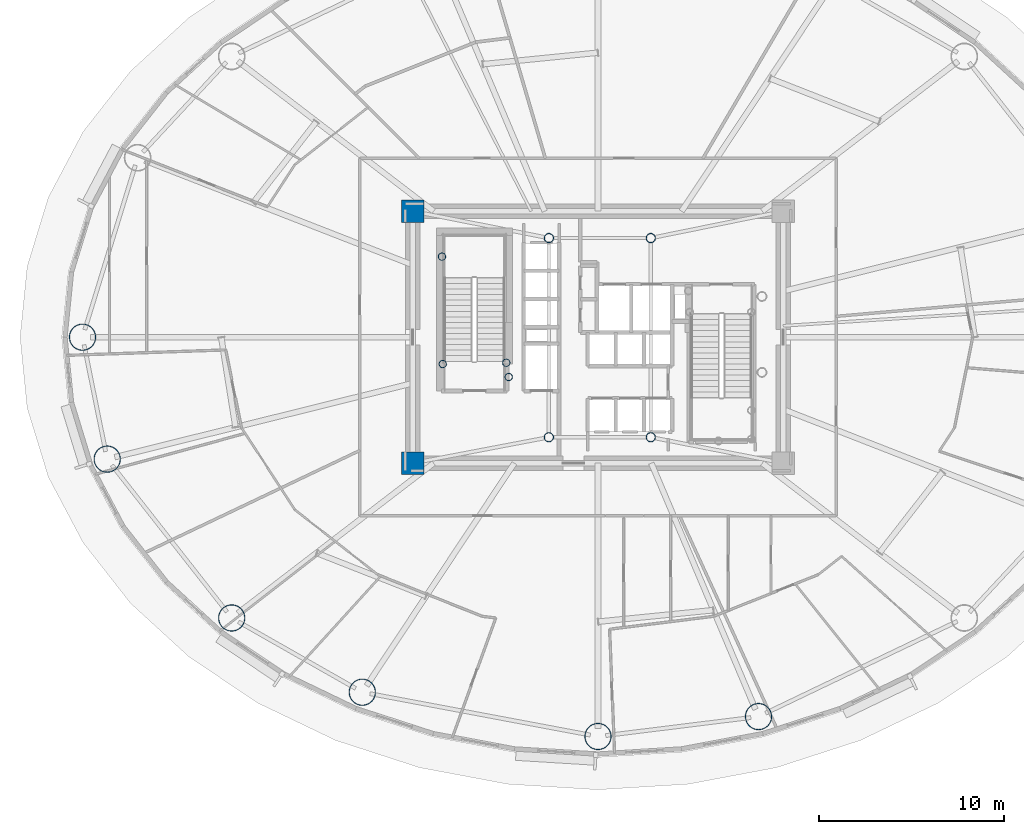
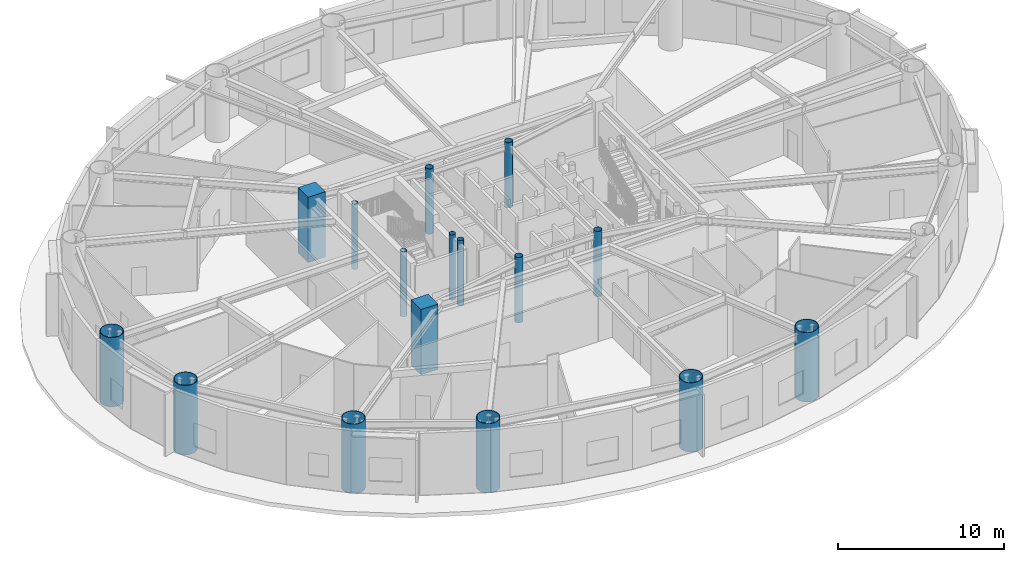
# One storey, part 1 of 19: 16 columns.
"""IFC4 building model written with IfcOpenShell, lengths in metres."""

from ifc_helpers import new_model, si_unit, direction, frame, origin, origin_2d, place, context, subcontext, project, spatial, rectangle, hollow_circle, extrude, material, material_profile, profile_set, type_object, element, save


model = new_model("IFC4")

# Units and contexts
model_context = context("Model", 3, precision=1e-05, world=origin(), true_north=direction((0.0, 1.0)))
body_context = subcontext(model_context, "Body", "Model", "MODEL_VIEW")
ifc_project = project(units=[si_unit("LENGTHUNIT", "METRE"), si_unit("AREAUNIT", "SQUARE_METRE"), si_unit("VOLUMEUNIT", "CUBIC_METRE"), si_unit("PLANEANGLEUNIT", "RADIAN"), si_unit("MASSUNIT", "GRAM", prefix="KILO")], contexts=[model_context])

# Site, building, storey
site_placement = place(None, origin())
site = spatial("IfcSite", under=ifc_project, at=site_placement, CompositionType="ELEMENT")
building_placement = place(site_placement, origin())
building = spatial("IfcBuilding", under=site, at=building_placement, Name="Linh Dai School and Residence Tower", CompositionType="ELEMENT")
storey_placement = place(building_placement, frame((0.0, 0.0, 92.39990234375)))
storey = spatial("IfcBuildingStorey", under=building, at=storey_placement, Name="L21", CompositionType="ELEMENT", Elevation=92.39990234375)

# Columns
ifc_material_1 = material(Name="Concrete B60 (C50/60)", Category="concrete")
ifc_material_profile_1 = material_profile(ifc_material_1, rectangle(XDim=1.199951171875, YDim=1.199951171875, at=origin_2d()), Name="RC 1200x1200")
ifc_profile_set_1 = profile_set([ifc_material_profile_1], Name="Concrete B60 (C50/60)")
column_type_1 = type_object("IfcColumnType", Name="COL-CC2", PredefinedType="COLUMN", material=ifc_profile_set_1)
for number, where, z_axis, x_axis, name in (
    (1, (26.0, 20.199951171875, 0.0), (0.0, 0.0, 1.0), (1.0, 0.0, 0.0), "L21 Core Corner Pier CC1"),
    (2, (26.0, 33.800048828125, 0.0), (0.0, 0.0, 1.0), (1.0, 0.0, 0.0), "L21 Core Corner Pier CC4"),
):
    element("IfcColumn", number, at=place(storey_placement, frame(where, z_axis=z_axis, x_axis=x_axis)), inside=storey, type_object=column_type_1, Name=name, PredefinedType="COLUMN", context=body_context, shape_type="SweptSolid", body=[
        extrude(rectangle(XDim=1.199951171875, YDim=1.199951171875, at=origin_2d()), origin(), (0.0, 0.0, 1.0), 4.800048828125),
    ])
ifc_material_2 = material(Name="Structural Steel S355JR", Category="steel")
ifc_material_profile_2 = material_profile(ifc_material_2, hollow_circle(Radius=0.203125, WallThickness=0.01611328125, at=origin_2d()), Name="CHS 406.4x16")
ifc_profile_set_2 = profile_set([ifc_material_profile_2], Name="Structural Steel S355JR")
column_type_2 = type_object("IfcColumnType", Name="COL-EC", PredefinedType="COLUMN", material=ifc_profile_set_2)
for number, where, z_axis, x_axis, name in (
    (3, (27.580078125, 31.35009765625, 0.0), (0.0, 0.0, 1.0), (1.0, 0.0, 0.0), "L21 Stair Shaft Landing Support Pier ST1NW"),
    (4, (31.050048828125, 25.6201171875, 0.0), (0.0, 0.0, 1.0), (1.0, 0.0, 0.0), "L21 Stair Shaft Landing Support Pier ST1SE"),
    (5, (31.179931640625, 24.85009765625, 0.0), (0.0, 0.0, 1.0), (1.0, 0.0, 0.0), "L21 Stair Shaft Landing Support Pier ST1SM"),
    (6, (27.6201171875, 25.550048828125, 0.0), (0.0, 0.0, 1.0), (1.0, 0.0, 0.0), "L21 Stair Shaft Landing Support Pier ST1SW"),
):
    element("IfcColumn", number, at=place(storey_placement, frame(where, z_axis=z_axis, x_axis=x_axis)), inside=storey, type_object=column_type_2, Name=name, PredefinedType="COLUMN", context=body_context, shape_type="SweptSolid", body=[
        extrude(hollow_circle(Radius=0.203125, WallThickness=0.01611328125, at=origin_2d()), origin(), (0.0, 0.0, 1.0), 4.800048828125),
    ])
ifc_material_profile_3 = material_profile(ifc_material_2, hollow_circle(Radius=0.72509765625, WallThickness=0.0419921875, at=origin_2d()), Name="CHS 1450x42")
ifc_profile_set_3 = profile_set([ifc_material_profile_3], Name="Structural Steel S355JR")
column_type_3 = type_object("IfcColumnType", Name="COL-MC3", PredefinedType="COLUMN", material=ifc_profile_set_3)
for number, where, z_axis, x_axis, name in (
    (7, (8.175048828125, 27.0, -0.2998046875), (0.0, 0.0, 1.0), (1.0, 0.0, 0.0), "L21 Perimeter CFT Mega-Column MC09"),
    (8, (9.50732421875, 20.4189453125, -0.2998046875), (0.0, 0.0, 1.0), (1.0, 0.0, 0.0), "L21 Perimeter CFT Mega-Column MC10"),
    (9, (16.227294921875, 11.844482421875, -0.2998046875), (0.0, 0.0, 1.0), (1.0, 0.0, 0.0), "L21 Perimeter CFT Mega-Column MC11"),
    (10, (23.278076171875, 7.8349609375, -0.2998046875), (0.0, 0.0, 1.0), (1.0, 0.0, 0.0), "L21 Perimeter CFT Mega-Column MC12"),
    (11, (36.0, 5.445068359375, -0.2998046875), (0.0, 0.0, 1.0), (1.0, 0.0, 0.0), "L21 Perimeter CFT Mega-Column MC13"),
    (12, (44.66552734375, 6.519287109375, -0.2998046875), (0.0, 0.0, 1.0), (1.0, 0.0, 0.0), "L21 Perimeter CFT Mega-Column MC14"),
):
    element("IfcColumn", number, at=place(storey_placement, frame(where, z_axis=z_axis, x_axis=x_axis)), inside=storey, type_object=column_type_3, Name=name, PredefinedType="COLUMN", context=body_context, shape_type="SweptSolid", body=[
        extrude(hollow_circle(Radius=0.72509765625, WallThickness=0.0419921875, at=origin_2d()), origin(), (0.0, 0.0, 1.0), 5.099853515625),
    ])
ifc_material_profile_4 = material_profile(ifc_material_2, hollow_circle(Radius=0.25390625, WallThickness=0.02001953125, at=origin_2d()), Name="CHS 508x20")
ifc_profile_set_4 = profile_set([ifc_material_profile_4], Name="Structural Steel S355JR")
column_type_4 = type_object("IfcColumnType", Name="COL-MCP", PredefinedType="COLUMN", material=ifc_profile_set_4)
for number, where, z_axis, x_axis, name in (
    (13, (33.35009765625, 21.60009765625, 0.0), (0.0, 0.0, 1.0), (1.0, 0.0, 0.0), "L21 Core Mast Support Pier MCP1"),
    (14, (38.85009765625, 21.60009765625, 0.0), (0.0, 0.0, 1.0), (1.0, 0.0, 0.0), "L21 Core Mast Support Pier MCP2"),
    (15, (38.85009765625, 32.35009765625, 0.0), (0.0, 0.0, 1.0), (1.0, 0.0, 0.0), "L21 Core Mast Support Pier MCP3"),
    (16, (33.35009765625, 32.35009765625, 0.0), (0.0, 0.0, 1.0), (1.0, 0.0, 0.0), "L21 Core Mast Support Pier MCP4"),
):
    element("IfcColumn", number, at=place(storey_placement, frame(where, z_axis=z_axis, x_axis=x_axis)), inside=storey, type_object=column_type_4, Name=name, PredefinedType="COLUMN", context=body_context, shape_type="SweptSolid", body=[
        extrude(hollow_circle(Radius=0.25390625, WallThickness=0.02001953125, at=origin_2d()), origin(), (0.0, 0.0, 1.0), 4.800048828125),
    ])

save(model, "model.ifc")
